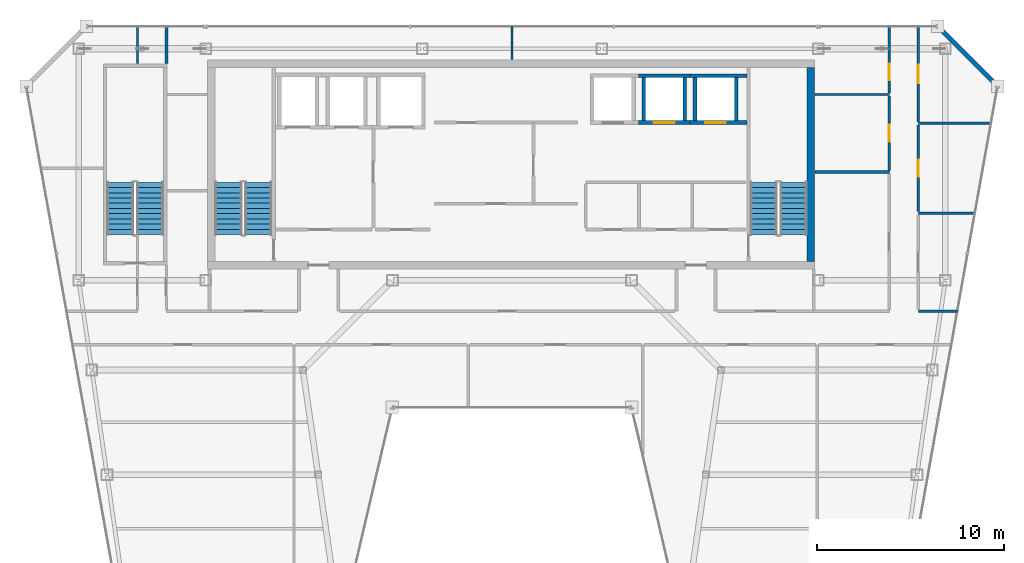
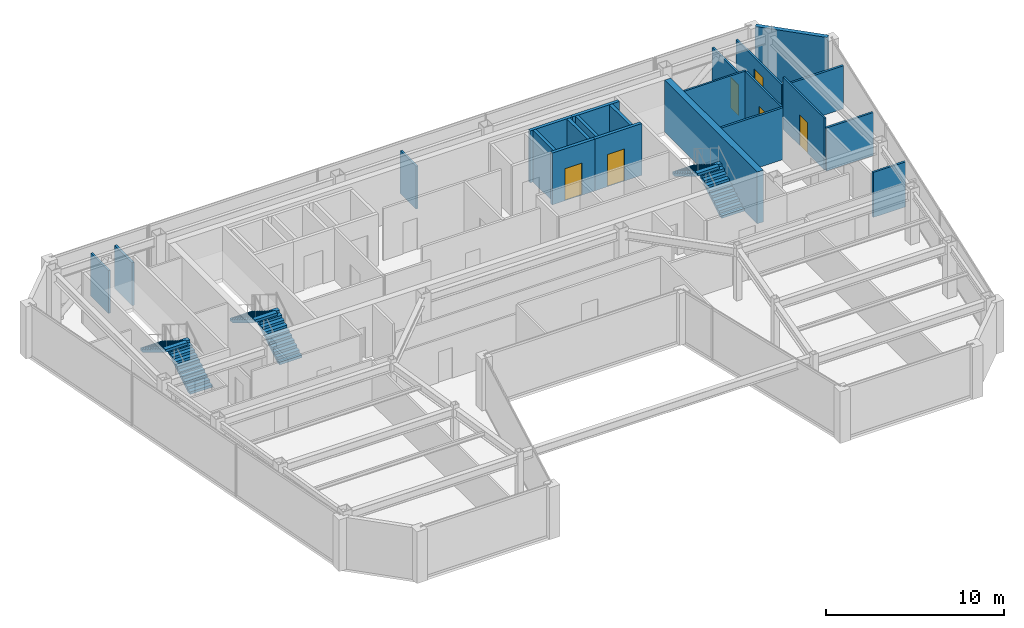
# One storey, part 29 of 32: 22 walls, 6 doors, 6 stair flights, 6 openings, 3 elements without a shape of their own.
"""IFC4 building model written with IfcOpenShell, lengths in metres."""

from ifc_helpers import new_model, si_unit, direction, frame, frame_2d, origin, place, context, subcontext, project, spatial, polyline, rectangle, outline, extrude, material, layer, layer_set, type_object, element, fill, aggregate, save


model = new_model("IFC4")

# Units and contexts
model_context = context("Model", 3, precision=1e-05, world=origin(), true_north=direction((0.0, 1.0)))
body_context = subcontext(model_context, "Body", "Model", "MODEL_VIEW")
ifc_project = project(units=[si_unit("LENGTHUNIT", "METRE"), si_unit("AREAUNIT", "SQUARE_METRE"), si_unit("VOLUMEUNIT", "CUBIC_METRE"), si_unit("PLANEANGLEUNIT", "RADIAN"), si_unit("MASSUNIT", "GRAM", prefix="KILO")], contexts=[model_context])

# Site, building, storey
site_placement = place(None, origin())
site = spatial("IfcSite", under=ifc_project, at=site_placement, CompositionType="ELEMENT")
building_placement = place(site_placement, origin())
building = spatial("IfcBuilding", under=site, at=building_placement, Name="Saevonmaru Cultural Tower", CompositionType="ELEMENT")
storey_placement = place(building_placement, frame((0.0, 0.0, 268.60009765625)))
storey = spatial("IfcBuildingStorey", under=building, at=storey_placement, Name="L63", CompositionType="ELEMENT", Elevation=268.60009765625)

# Walls
ifc_material_1 = material(Name="Concrete C50/60", Category="concrete")
ifc_layer_1 = layer(ifc_material_1, 0.39990234375, Name="Concrete C50/60")
ifc_layer_set_1 = layer_set([ifc_layer_1], Name="Concrete C50/60")
wall_type_1 = type_object("IfcWallType", Name="WL-CORE-400", PredefinedType="SHEAR", material=ifc_layer_set_1)
wall_1_placement = place(storey_placement, frame((46.0, 43.39990234375, 0.0), z_axis=(0.0, 0.0, 1.0), x_axis=(0.0, 1.0, 0.0)))
element("IfcWall", 1, at=wall_1_placement, inside=storey, type_object=wall_type_1, Name="L63 Tower RC core shear wall E", PredefinedType="SHEAR", context=body_context, shape_type="SweptSolid", body=[
    extrude(rectangle(XDim=10.400146484375, YDim=0.39990234375, at=frame_2d((5.2001953125, 0.0))), origin(), (0.0, 0.0, 1.0), 3.5498046875),
])
ifc_material_2 = material(Name="Granite-Clad Precast Concrete C40/50", Category="masonry")
ifc_layer_2 = layer(ifc_material_2, 0.260009765625, Name="Granite-Clad Precast Concrete C40/50")
ifc_layer_set_2 = layer_set([ifc_layer_2], Name="Granite-Clad Precast Concrete C40/50")
wall_type_2 = type_object("IfcWallType", Name="WL-EXT-SPANDREL-260", PredefinedType="STANDARD", material=ifc_layer_set_2)
wall_2_placement = place(storey_placement, frame((55.886962890625, 52.9130859375, 0.0), z_axis=(0.0, 0.0, 1.0), x_axis=(-0.707106781187, 0.707106781187, 0.0)))
element("IfcWall", 2, at=wall_2_placement, inside=storey, type_object=wall_type_2, Name="L63 Chamfer Corner Spandrel Wall E9", PredefinedType="STANDARD", context=body_context, shape_type="SweptSolid", body=[
    extrude(rectangle(XDim=4.205810546875, YDim=0.260009765625, at=frame_2d((2.10302734375, 0.0))), origin(), (0.0, 0.0, 1.0), 3.5498046875),
])
ifc_material_3 = material(Name="Gypsum Fireboard Partition", Category="gypsum")
ifc_layer_3 = layer(ifc_material_3, 0.14990234375, Name="Gypsum Fireboard Partition")
ifc_layer_set_3 = layer_set([ifc_layer_3], Name="Gypsum Fireboard Partition")
wall_type_3 = type_object("IfcWallType", Name="WL-PART-FIRE-150", PredefinedType="PARTITIONING", material=ifc_layer_set_3)
wall_3_placement = place(storey_placement, frame((11.5, 54.0, 0.0), z_axis=(0.0, 0.0, 1.0), x_axis=(0.0, 1.0, 0.0)))
element("IfcWall", 3, at=wall_3_placement, inside=storey, type_object=wall_type_3, Name="L63 Sculpture Study Gallery Corridor Wall", PredefinedType="PARTITIONING", context=body_context, shape_type="SweptSolid", body=[
    extrude(rectangle(XDim=1.9951171875, YDim=0.14990234375, at=frame_2d((0.99755859375, 0.0))), origin(), (0.0, 0.0, 1.0), 2.934814453125),
])
ifc_layer_4 = layer(ifc_material_3, 0.1201171875, Name="Gypsum Fireboard Partition")
ifc_layer_set_4 = layer_set([ifc_layer_4], Name="Gypsum Fireboard Partition")
wall_type_4 = type_object("IfcWallType", Name="WL-PART-GYP-120", PredefinedType="PARTITIONING", material=ifc_layer_set_4)
wall_4_placement = place(storey_placement, frame((46.219970703125, 52.35009765625, 0.0), z_axis=(0.0, 0.0, 1.0), x_axis=(1.0, 0.0, 0.0)))
element("IfcWall", 4, at=wall_4_placement, inside=storey, type_object=wall_type_4, Name="L63 North-East Panorama South Wall", PredefinedType="PARTITIONING", context=body_context, shape_type="SweptSolid", body=[
    extrude(rectangle(XDim=3.97998046875, YDim=0.1201171875, at=frame_2d((1.989990234375, 0.0))), origin(), (0.0, 0.0, 1.0), 3.5498046875),
])
wall_5_placement = place(storey_placement, frame((30.0, 54.219970703125, 0.0), z_axis=(0.0, 0.0, 1.0), x_axis=(0.0, 1.0, 0.0)))
element("IfcWall", 5, at=wall_5_placement, inside=storey, type_object=wall_type_4, Name="L63 North Panorama Center Split", PredefinedType="PARTITIONING", context=body_context, shape_type="SweptSolid", body=[
    extrude(rectangle(XDim=1.775146484375, YDim=0.1201171875, at=frame_2d((0.8876953125, 0.0))), origin(), (0.0, 0.0, 1.0), 2.934814453125),
])

# Wall, opening, door
wall_6_placement = place(storey_placement, frame((50.199951171875, 48.2900390625, 0.0), z_axis=(0.0, 0.0, 1.0), x_axis=(0.0, 1.0, 0.0)))
wall_6 = element("IfcWall", 6, at=wall_6_placement, inside=storey, type_object=wall_type_4, Name="L63 Visiting Fellows Office Corridor Wall", PredefinedType="PARTITIONING", context=body_context, shape_type="SweptSolid", body=[
    extrude(rectangle(XDim=3.97998046875, YDim=0.1201171875, at=frame_2d((1.989990234375, 0.0))), origin(), (0.0, 0.0, 1.0), 3.5498046875),
])
opening_1_placement = place(wall_6_placement, frame((1.5400390625, 0.0, 0.0)))
opening_1 = element("IfcOpeningElement", 7, at=opening_1_placement, cuts=wall_6, Name="Opening ID-2", PredefinedType="OPENING", context=body_context, shape_type="SweptSolid", body=[
    extrude(rectangle(XDim=0.89990234375, YDim=2.10009765625, at=frame_2d((0.449951171875, 1.050048828125))), frame((0.0, 0.070068359375, 0.0), z_axis=(0.0, -1.0, 0.0), x_axis=(1.0, 0.0, 0.0)), (0.0, 0.0, 1.0), 0.14013671875),
])
ifc_material_4 = material(Name="Acoustic Stained Oak Timber", Category="wood")
door_type_1 = type_object("IfcDoorType", Name="DR-INT-900", OperationType="SINGLE_SWING_RIGHT", PredefinedType="DOOR", material=ifc_material_4)
door_1_placement = place(opening_1_placement, origin())
door_1 = element("IfcDoor", 8, at=door_1_placement, inside=storey, type_object=door_type_1, Name="L63 Visiting Fellows Office Door", OperationType="SINGLE_SWING_LEFT", OverallHeight=2.10009765625, OverallWidth=0.89990234375, PredefinedType="DOOR", context=body_context, shape_type="SweptSolid", body=[
    extrude(rectangle(XDim=0.89990234375, YDim=2.10009765625, at=frame_2d((0.449951171875, 1.050048828125))), frame((0.0, 0.02490234375, 0.0), z_axis=(0.0, -1.0, 0.0), x_axis=(1.0, 0.0, 0.0)), (0.0, 0.0, 1.0), 0.050048828125),
])
fill(opening_1, door_1)

wall_7_placement = place(storey_placement, frame((50.199951171875, 52.429931640625, 0.0), z_axis=(0.0, 0.0, 1.0), x_axis=(0.0, 1.0, 0.0)))
wall_7 = element("IfcWall", 9, at=wall_7_placement, inside=storey, type_object=wall_type_4, Name="L63 Digital Humanities Office Corridor Wall", PredefinedType="PARTITIONING", context=body_context, shape_type="SweptSolid", body=[
    extrude(rectangle(XDim=3.565185546875, YDim=0.1201171875, at=frame_2d((1.78271484375, 0.0))), origin(), (0.0, 0.0, 1.0), 2.934814453125),
])
opening_2_placement = place(wall_7_placement, frame((0.672119140625, 0.0, 0.0)))
opening_2 = element("IfcOpeningElement", 10, at=opening_2_placement, cuts=wall_7, Name="Opening ID-2", PredefinedType="OPENING", context=body_context, shape_type="SweptSolid", body=[
    extrude(rectangle(XDim=0.89990234375, YDim=2.10009765625, at=frame_2d((0.449951171875, 1.050048828125))), frame((0.0, 0.070068359375, 0.0), z_axis=(0.0, -1.0, 0.0), x_axis=(1.0, 0.0, 0.0)), (0.0, 0.0, 1.0), 0.14013671875),
])
door_2_placement = place(opening_2_placement, origin())
door_2 = element("IfcDoor", 11, at=door_2_placement, inside=storey, type_object=door_type_1, Name="L63 Digital Humanities Office Door", OperationType="SINGLE_SWING_RIGHT", OverallHeight=2.10009765625, OverallWidth=0.89990234375, PredefinedType="DOOR", context=body_context, shape_type="SweptSolid", body=[
    extrude(rectangle(XDim=0.89990234375, YDim=2.10009765625, at=frame_2d((0.449951171875, 1.050048828125))), frame((0.0, 0.02490234375, 0.0), z_axis=(0.0, -1.0, 0.0), x_axis=(1.0, 0.0, 0.0)), (0.0, 0.0, 1.0), 0.050048828125),
])
fill(opening_2, door_2)

# Wall
wall_8_placement = place(storey_placement, frame((9.949951171875, 54.0, 0.0), z_axis=(0.0, 0.0, 1.0), x_axis=(0.0, 1.0, 0.0)))
element("IfcWall", 12, at=wall_8_placement, inside=storey, type_object=wall_type_4, Name="L63 Digital Humanities Office Corridor Wall", PredefinedType="PARTITIONING", context=body_context, shape_type="SweptSolid", body=[
    extrude(rectangle(XDim=1.9951171875, YDim=0.1201171875, at=frame_2d((0.99755859375, 0.0))), origin(), (0.0, 0.0, 1.0), 2.934814453125),
])

# Wall, opening, door
wall_9_placement = place(storey_placement, frame((51.75, 46.08740234375, 0.0), z_axis=(0.0, 0.0, 1.0), x_axis=(0.0, 1.0, 0.0)))
wall_9 = element("IfcWall", 13, at=wall_9_placement, inside=storey, type_object=wall_type_4, Name="L63 Digital Media Classroom Corridor Wall", PredefinedType="PARTITIONING", context=body_context, shape_type="SweptSolid", body=[
    extrude(rectangle(XDim=4.625, YDim=0.1201171875, at=frame_2d((2.3125, 0.0))), origin(), (0.0, 0.0, 1.0), 3.5498046875),
])
opening_3_placement = place(wall_9_placement, frame((1.863037109375, 0.0, 0.0)))
opening_3 = element("IfcOpeningElement", 14, at=opening_3_placement, cuts=wall_9, Name="Opening ID-2", PredefinedType="OPENING", context=body_context, shape_type="SweptSolid", body=[
    extrude(rectangle(XDim=0.89990234375, YDim=2.10009765625, at=frame_2d((0.449951171875, 1.050048828125))), frame((0.0, 0.070068359375, 0.0), z_axis=(0.0, -1.0, 0.0), x_axis=(1.0, 0.0, 0.0)), (0.0, 0.0, 1.0), 0.14013671875),
])
door_3_placement = place(opening_3_placement, origin())
door_3 = element("IfcDoor", 15, at=door_3_placement, inside=storey, type_object=door_type_1, Name="L63 Digital Media Classroom Door", OperationType="SINGLE_SWING_RIGHT", OverallHeight=2.10009765625, OverallWidth=0.89990234375, PredefinedType="DOOR", context=body_context, shape_type="SweptSolid", body=[
    extrude(rectangle(XDim=0.89990234375, YDim=2.10009765625, at=frame_2d((0.449951171875, 1.050048828125))), frame((0.0, 0.02490234375, 0.0), z_axis=(0.0, -1.0, 0.0), x_axis=(1.0, 0.0, 0.0)), (0.0, 0.0, 1.0), 0.050048828125),
])
fill(opening_3, door_3)

wall_10_placement = place(storey_placement, frame((51.75, 50.887451171875, 0.0), z_axis=(0.0, 0.0, 1.0), x_axis=(0.0, 1.0, 0.0)))
wall_10 = element("IfcWall", 16, at=wall_10_placement, inside=storey, type_object=wall_type_4, Name="L63 Horizon Espresso Cafe Corridor Wall", PredefinedType="PARTITIONING", context=body_context, shape_type="SweptSolid", body=[
    extrude(rectangle(XDim=5.107666015625, YDim=0.1201171875, at=frame_2d((2.5537109375, 0.0))), origin(), (0.0, 0.0, 1.0), 2.934814453125),
])
opening_4_placement = place(wall_10_placement, frame((2.053955078125, 0.0, 0.0)))
opening_4 = element("IfcOpeningElement", 17, at=opening_4_placement, cuts=wall_10, Name="Opening ID-1B", PredefinedType="OPENING", context=body_context, shape_type="SweptSolid", body=[
    extrude(rectangle(XDim=1.0, YDim=2.14990234375, at=frame_2d((0.5, 1.074951171875))), frame((0.0, 0.070068359375, 0.0), z_axis=(0.0, -1.0, 0.0), x_axis=(1.0, 0.0, 0.0)), (0.0, 0.0, 1.0), 0.14013671875),
])
door_type_2 = type_object("IfcDoorType", Name="DR-INT-1000", OperationType="SINGLE_SWING_RIGHT", PredefinedType="DOOR", material=ifc_material_4)
door_4_placement = place(opening_4_placement, origin())
door_4 = element("IfcDoor", 18, at=door_4_placement, inside=storey, type_object=door_type_2, Name="L63 Horizon Espresso Cafe Door", OperationType="SINGLE_SWING_LEFT", OverallHeight=2.14990234375, OverallWidth=1.0, PredefinedType="DOOR", context=body_context, shape_type="SweptSolid", body=[
    extrude(rectangle(XDim=1.0, YDim=2.14990234375, at=frame_2d((0.5, 1.074951171875))), frame((0.0, 0.02490234375, 0.0), z_axis=(0.0, -1.0, 0.0), x_axis=(1.0, 0.0, 0.0)), (0.0, 0.0, 1.0), 0.050048828125),
])
fill(opening_4, door_4)

# Walls
ifc_layer_5 = layer(ifc_material_3, 0.135009765625, Name="Gypsum Fireboard Partition")
ifc_layer_set_5 = layer_set([ifc_layer_5], Name="Gypsum Fireboard Partition")
wall_type_5 = type_object("IfcWallType", Name="WL-PART-GYP-135", PredefinedType="PARTITIONING", material=ifc_layer_set_5)
wall_11_placement = place(storey_placement, frame((51.75, 40.75, 0.0), z_axis=(0.0, 0.0, 1.0), x_axis=(1.0, 0.0, 0.0)))
element("IfcWall", 19, at=wall_11_placement, inside=storey, type_object=wall_type_5, Name="L63 NE Wing South Wall", PredefinedType="PARTITIONING", context=body_context, shape_type="SweptSolid", body=[
    extrude(rectangle(XDim=2.088623046875, YDim=0.135009765625, at=frame_2d((1.04443359375, 0.0))), origin(), (0.0, 0.0, 1.0), 3.0849609375),
])
wall_12_placement = place(storey_placement, frame((51.75, 46.0, 0.0), z_axis=(0.0, 0.0, 1.0), x_axis=(1.0, 0.0, 0.0)))
element("IfcWall", 20, at=wall_12_placement, inside=storey, type_object=wall_type_5, Name="L63 NE Studio Divider 1", PredefinedType="PARTITIONING", context=body_context, shape_type="SweptSolid", body=[
    extrude(rectangle(XDim=3.028076171875, YDim=0.135009765625, at=frame_2d((1.51416015625, 0.0))), origin(), (0.0, 0.0, 1.0), 2.947021484375),
])
wall_13_placement = place(storey_placement, frame((51.75, 50.800048828125, 0.0), z_axis=(0.0, 0.0, 1.0), x_axis=(1.0, 0.0, 0.0)))
element("IfcWall", 21, at=wall_13_placement, inside=storey, type_object=wall_type_5, Name="L63 NE Studio Divider 2", PredefinedType="PARTITIONING", context=body_context, shape_type="SweptSolid", body=[
    extrude(rectangle(XDim=3.886962890625, YDim=0.135009765625, at=frame_2d((1.943359375, 0.0))), origin(), (0.0, 0.0, 1.0), 2.947021484375),
])
ifc_layer_6 = layer(ifc_material_3, 0.139892578125, Name="Gypsum Fireboard Partition")
ifc_layer_set_6 = layer_set([ifc_layer_6], Name="Gypsum Fireboard Partition")
wall_type_6 = type_object("IfcWallType", Name="WL-PART-WET-140", PredefinedType="PARTITIONING", material=ifc_layer_set_6)
wall_14_placement = place(storey_placement, frame((46.219970703125, 48.199951171875, 0.0), z_axis=(0.0, 0.0, 1.0), x_axis=(1.0, 0.0, 0.0)))
element("IfcWall", 22, at=wall_14_placement, inside=storey, type_object=wall_type_6, Name="L63 Washroom North Wall", PredefinedType="PARTITIONING", context=body_context, shape_type="SweptSolid", body=[
    extrude(rectangle(XDim=3.97998046875, YDim=0.139892578125, at=frame_2d((1.989990234375, 0.0))), origin(), (0.0, 0.0, 1.0), 3.5498046875),
])

# Wall, opening, door
ifc_material_5 = material(Name="Concrete C40/50", Category="concrete")
ifc_layer_7 = layer(ifc_material_5, 0.199951171875, Name="Concrete C40/50")
ifc_layer_set_7 = layer_set([ifc_layer_7], Name="Concrete C40/50")
wall_type_7 = type_object("IfcWallType", Name="WL-SHAFT-200", PredefinedType="SHEAR", material=ifc_layer_set_7)
wall_15_placement = place(storey_placement, frame((36.77490234375, 50.85009765625, 0.0), z_axis=(0.0, 0.0, 1.0), x_axis=(1.0, 0.0, 0.0)))
wall_15 = element("IfcWall", 23, at=wall_15_placement, inside=storey, type_object=wall_type_7, Name="L63 Lift PL-H2 Hoistway Wall S", PredefinedType="SHEAR", context=body_context, shape_type="SweptSolid", body=[
    extrude(rectangle(XDim=2.75, YDim=0.199951171875, at=frame_2d((1.375, 0.0))), origin(), (0.0, 0.0, 1.0), 3.5498046875),
])
opening_5_placement = place(wall_15_placement, frame((0.824951171875, 0.0, 0.0)))
opening_5 = element("IfcOpeningElement", 24, at=opening_5_placement, cuts=wall_15, Name="Opening LD-1", PredefinedType="OPENING", context=body_context, shape_type="SweptSolid", body=[
    extrude(rectangle(XDim=1.10009765625, YDim=2.199951171875, at=frame_2d((0.550048828125, 1.10009765625))), frame((0.0, 0.10986328125, 0.0), z_axis=(0.0, -1.0, 0.0), x_axis=(1.0, 0.0, 0.0)), (0.0, 0.0, 1.0), 0.219970703125),
])
ifc_material_6 = material(Name="Satin Bronze Stainless Steel", Category="steel")
door_type_3 = type_object("IfcDoorType", Name="DR-LIFT-1100", OperationType="SLIDING_TO_LEFT", PredefinedType="DOOR", material=ifc_material_6)
door_5_placement = place(opening_5_placement, origin())
door_5 = element("IfcDoor", 25, at=door_5_placement, inside=storey, type_object=door_type_3, Name="L63 Lift PL-H2 Sliding Landing Door", OperationType="SLIDING_TO_LEFT", OverallHeight=2.199951171875, OverallWidth=1.10009765625, PredefinedType="DOOR", context=body_context, shape_type="SweptSolid", body=[
    extrude(rectangle(XDim=1.10009765625, YDim=2.199951171875, at=frame_2d((0.550048828125, 1.10009765625))), frame((0.0, 0.02490234375, 0.0), z_axis=(0.0, -1.0, 0.0), x_axis=(1.0, 0.0, 0.0)), (0.0, 0.0, 1.0), 0.050048828125),
])
fill(opening_5, door_5)

# Walls
wall_16_placement = place(storey_placement, frame((36.77490234375, 53.35009765625, 0.0), z_axis=(0.0, 0.0, 1.0), x_axis=(1.0, 0.0, 0.0)))
element("IfcWall", 26, at=wall_16_placement, inside=storey, type_object=wall_type_7, Name="L63 Lift PL-H2 Hoistway Wall N", PredefinedType="SHEAR", context=body_context, shape_type="SweptSolid", body=[
    extrude(rectangle(XDim=2.75, YDim=0.199951171875, at=frame_2d((1.375, 0.0))), origin(), (0.0, 0.0, 1.0), 3.5498046875),
])
for number, where, z_axis, x_axis, name in (
    (27, (37.050048828125, 50.949951171875, 0.0), (0.0, 0.0, 1.0), (0.0, 1.0, 0.0), "L63 Lift PL-H2 Hoistway Wall W"),
    (28, (39.25, 50.949951171875, 0.0), (0.0, 0.0, 1.0), (0.0, 1.0, 0.0), "L63 Lift PL-H2 Hoistway Wall E"),
):
    element("IfcWall", number, at=place(storey_placement, frame(where, z_axis=z_axis, x_axis=x_axis)), inside=storey, type_object=wall_type_7, Name=name, PredefinedType="SHEAR", context=body_context, shape_type="SweptSolid", body=[
        extrude(rectangle(XDim=2.300048828125, YDim=0.199951171875, at=frame_2d((1.14990234375, 0.0))), origin(), (0.0, 0.0, 1.0), 3.5498046875),
    ])

# Wall, opening, door
wall_17_placement = place(storey_placement, frame((39.52490234375, 50.85009765625, 0.0), z_axis=(0.0, 0.0, 1.0), x_axis=(1.0, 0.0, 0.0)))
wall_17 = element("IfcWall", 29, at=wall_17_placement, inside=storey, type_object=wall_type_7, Name="L63 Lift PL-H3 Hoistway Wall S", PredefinedType="SHEAR", context=body_context, shape_type="SweptSolid", body=[
    extrude(rectangle(XDim=3.045166015625, YDim=0.199951171875, at=frame_2d((1.5224609375, 0.0))), origin(), (0.0, 0.0, 1.0), 3.5498046875),
])
opening_6_placement = place(wall_17_placement, frame((0.824951171875, 0.0, 0.0)))
opening_6 = element("IfcOpeningElement", 30, at=opening_6_placement, cuts=wall_17, Name="Opening LD-1", PredefinedType="OPENING", context=body_context, shape_type="SweptSolid", body=[
    extrude(rectangle(XDim=1.10009765625, YDim=2.199951171875, at=frame_2d((0.550048828125, 1.10009765625))), frame((0.0, 0.10986328125, 0.0), z_axis=(0.0, -1.0, 0.0), x_axis=(1.0, 0.0, 0.0)), (0.0, 0.0, 1.0), 0.219970703125),
])
door_6_placement = place(opening_6_placement, origin())
door_6 = element("IfcDoor", 31, at=door_6_placement, inside=storey, type_object=door_type_3, Name="L63 Lift PL-H3 Sliding Landing Door", OperationType="SLIDING_TO_LEFT", OverallHeight=2.199951171875, OverallWidth=1.10009765625, PredefinedType="DOOR", context=body_context, shape_type="SweptSolid", body=[
    extrude(rectangle(XDim=1.10009765625, YDim=2.199951171875, at=frame_2d((0.550048828125, 1.10009765625))), frame((0.0, 0.02490234375, 0.0), z_axis=(0.0, -1.0, 0.0), x_axis=(1.0, 0.0, 0.0)), (0.0, 0.0, 1.0), 0.050048828125),
])
fill(opening_6, door_6)

# Walls
wall_18_placement = place(storey_placement, frame((39.52490234375, 53.35009765625, 0.0), z_axis=(0.0, 0.0, 1.0), x_axis=(1.0, 0.0, 0.0)))
element("IfcWall", 32, at=wall_18_placement, inside=storey, type_object=wall_type_7, Name="L63 Lift PL-H3 Hoistway Wall N", PredefinedType="SHEAR", context=body_context, shape_type="SweptSolid", body=[
    extrude(rectangle(XDim=3.045166015625, YDim=0.199951171875, at=frame_2d((1.5224609375, 0.0))), origin(), (0.0, 0.0, 1.0), 3.5498046875),
])
for number, where, z_axis, x_axis, name in (
    (33, (39.800048828125, 50.949951171875, 0.0), (0.0, 0.0, 1.0), (0.0, 1.0, 0.0), "L63 Lift PL-H3 Hoistway Wall W"),
    (34, (42.0, 50.949951171875, 0.0), (0.0, 0.0, 1.0), (0.0, 1.0, 0.0), "L63 Lift PL-H3 Hoistway Wall E"),
):
    element("IfcWall", number, at=place(storey_placement, frame(where, z_axis=z_axis, x_axis=x_axis)), inside=storey, type_object=wall_type_7, Name=name, PredefinedType="SHEAR", context=body_context, shape_type="SweptSolid", body=[
        extrude(rectangle(XDim=2.300048828125, YDim=0.199951171875, at=frame_2d((1.14990234375, 0.0))), origin(), (0.0, 0.0, 1.0), 3.5498046875),
    ])

# Stair, stair flights
stair_type = type_object("IfcStairType", Name="STR-DOGLEG-RC", PredefinedType="HALF_TURN_STAIR", material=ifc_material_5)
stair_1_placement = place(storey_placement, origin())
stair_1 = element("IfcStair", 35, at=stair_1_placement, inside=storey, type_object=stair_type, Name="L63 Protected exit stair ST-1", PredefinedType="HALF_TURN_STAIR")
ifc_material_7 = material(Name="Precast concrete C40/50", Category="concrete")
stair_flight_type = type_object("IfcStairFlightType", Name="STF-PRECAST-180", PredefinedType="STRAIGHT", material=ifc_material_7)
stair_flight_1_placement = place(storey_placement, frame((16.425048828125, 44.85009765625, 0.0), z_axis=(0.0, 0.0, 1.0), x_axis=(0.0, 1.0, 0.0)))
stair_flight_1 = element("IfcStairFlight", 36, at=stair_flight_1_placement, type_object=stair_flight_type, Name="ST-1-L63 flight 1", NumberOfRisers=11, NumberOfTreads=10, PredefinedType="STRAIGHT", RiserHeight=0.172727273, TreadLength=0.28, context=body_context, shape_type="SweptSolid", body=[
    extrude(outline(polyline([(0.0, 0.0), (0.0, 0.172607421875), (0.280029296875, 0.172607421875), (0.280029296875, 0.345458984375), (0.56005859375, 0.345458984375), (0.56005859375, 0.51806640625), (0.840087890625, 0.51806640625), (0.840087890625, 0.69091796875), (1.1201171875, 0.69091796875), (1.1201171875, 0.863525390625), (1.39990234375, 0.863525390625), (1.39990234375, 1.036376953125), (1.679931640625, 1.036376953125), (1.679931640625, 1.208984375), (1.9599609375, 1.208984375), (1.9599609375, 1.3818359375), (2.239990234375, 1.3818359375), (2.239990234375, 1.554443359375), (2.52001953125, 1.554443359375), (2.52001953125, 1.727294921875), (2.800048828125, 1.727294921875), (2.800048828125, 1.89990234375), (2.800048828125, 1.551025390625), (0.285400390625, 0.0), (0.0, 0.0)])), frame((0.0, 0.72509765625, 0.0), z_axis=(0.0, -1.0, 0.0), x_axis=(1.0, 0.0, 0.0)), (0.0, 0.0, 1.0), 1.449951171875),
])
stair_flight_2_placement = place(storey_placement, frame((14.824951171875, 47.64990234375, 1.89990234375), z_axis=(0.0, 0.0, 1.0), x_axis=(0.0, -1.0, 0.0)))
stair_flight_2 = element("IfcStairFlight", 37, at=stair_flight_2_placement, type_object=stair_flight_type, Name="ST-1-L63 flight 2", NumberOfRisers=11, NumberOfTreads=10, PredefinedType="STRAIGHT", RiserHeight=0.172727273, TreadLength=0.28, context=body_context, shape_type="SweptSolid", body=[
    extrude(outline(polyline([(0.0, 0.0), (0.0, 0.172607421875), (0.280029296875, 0.172607421875), (0.280029296875, 0.345458984375), (0.56005859375, 0.345458984375), (0.56005859375, 0.51806640625), (0.840087890625, 0.51806640625), (0.840087890625, 0.69091796875), (1.1201171875, 0.69091796875), (1.1201171875, 0.863525390625), (1.39990234375, 0.863525390625), (1.39990234375, 1.036376953125), (1.679931640625, 1.036376953125), (1.679931640625, 1.208984375), (1.9599609375, 1.208984375), (1.9599609375, 1.3818359375), (2.239990234375, 1.3818359375), (2.239990234375, 1.554443359375), (2.52001953125, 1.554443359375), (2.52001953125, 1.727294921875), (2.800048828125, 1.727294921875), (2.800048828125, 1.89990234375), (2.800048828125, 1.551025390625), (0.285400390625, 0.0), (0.0, 0.0)])), frame((0.0, 0.72509765625, 0.0), z_axis=(0.0, -1.0, 0.0), x_axis=(1.0, 0.0, 0.0)), (0.0, 0.0, 1.0), 1.449951171875),
])
aggregate(stair_1, [stair_flight_1, stair_flight_2])

stair_2_placement = place(storey_placement, origin())
stair_2 = element("IfcStair", 38, at=stair_2_placement, inside=storey, type_object=stair_type, Name="L63 Protected exit stair ST-2", PredefinedType="HALF_TURN_STAIR")
stair_flight_3_placement = place(storey_placement, frame((45.074951171875, 44.85009765625, 0.0), z_axis=(0.0, 0.0, 1.0), x_axis=(0.0, 1.0, 0.0)))
stair_flight_3 = element("IfcStairFlight", 39, at=stair_flight_3_placement, type_object=stair_flight_type, Name="ST-2-L63 flight 1", NumberOfRisers=11, NumberOfTreads=10, PredefinedType="STRAIGHT", RiserHeight=0.172727273, TreadLength=0.28, context=body_context, shape_type="SweptSolid", body=[
    extrude(outline(polyline([(0.0, 0.0), (0.0, 0.172607421875), (0.280029296875, 0.172607421875), (0.280029296875, 0.345458984375), (0.56005859375, 0.345458984375), (0.56005859375, 0.51806640625), (0.840087890625, 0.51806640625), (0.840087890625, 0.69091796875), (1.1201171875, 0.69091796875), (1.1201171875, 0.863525390625), (1.39990234375, 0.863525390625), (1.39990234375, 1.036376953125), (1.679931640625, 1.036376953125), (1.679931640625, 1.208984375), (1.9599609375, 1.208984375), (1.9599609375, 1.3818359375), (2.239990234375, 1.3818359375), (2.239990234375, 1.554443359375), (2.52001953125, 1.554443359375), (2.52001953125, 1.727294921875), (2.800048828125, 1.727294921875), (2.800048828125, 1.89990234375), (2.800048828125, 1.551025390625), (0.285400390625, 0.0), (0.0, 0.0)])), frame((0.0, 0.72509765625, 0.0), z_axis=(0.0, -1.0, 0.0), x_axis=(1.0, 0.0, 0.0)), (0.0, 0.0, 1.0), 1.449951171875),
])
stair_flight_4_placement = place(storey_placement, frame((43.47509765625, 47.64990234375, 1.89990234375), z_axis=(0.0, 0.0, 1.0), x_axis=(0.0, -1.0, 0.0)))
stair_flight_4 = element("IfcStairFlight", 40, at=stair_flight_4_placement, type_object=stair_flight_type, Name="ST-2-L63 flight 2", NumberOfRisers=11, NumberOfTreads=10, PredefinedType="STRAIGHT", RiserHeight=0.172727273, TreadLength=0.28, context=body_context, shape_type="SweptSolid", body=[
    extrude(outline(polyline([(0.0, 0.0), (0.0, 0.172607421875), (0.280029296875, 0.172607421875), (0.280029296875, 0.345458984375), (0.56005859375, 0.345458984375), (0.56005859375, 0.51806640625), (0.840087890625, 0.51806640625), (0.840087890625, 0.69091796875), (1.1201171875, 0.69091796875), (1.1201171875, 0.863525390625), (1.39990234375, 0.863525390625), (1.39990234375, 1.036376953125), (1.679931640625, 1.036376953125), (1.679931640625, 1.208984375), (1.9599609375, 1.208984375), (1.9599609375, 1.3818359375), (2.239990234375, 1.3818359375), (2.239990234375, 1.554443359375), (2.52001953125, 1.554443359375), (2.52001953125, 1.727294921875), (2.800048828125, 1.727294921875), (2.800048828125, 1.89990234375), (2.800048828125, 1.551025390625), (0.285400390625, 0.0), (0.0, 0.0)])), frame((0.0, 0.72509765625, 0.0), z_axis=(0.0, -1.0, 0.0), x_axis=(1.0, 0.0, 0.0)), (0.0, 0.0, 1.0), 1.449951171875),
])
aggregate(stair_2, [stair_flight_3, stair_flight_4])

stair_3_placement = place(storey_placement, origin())
stair_3 = element("IfcStair", 41, at=stair_3_placement, inside=storey, type_object=stair_type, Name="L63 Protected exit stair ST-3", PredefinedType="HALF_TURN_STAIR")
stair_flight_5_placement = place(storey_placement, frame((10.625, 44.85009765625, 0.0), z_axis=(0.0, 0.0, 1.0), x_axis=(0.0, 1.0, 0.0)))
stair_flight_5 = element("IfcStairFlight", 42, at=stair_flight_5_placement, type_object=stair_flight_type, Name="ST-3-L63 flight 1", NumberOfRisers=11, NumberOfTreads=10, PredefinedType="STRAIGHT", RiserHeight=0.172727273, TreadLength=0.28, context=body_context, shape_type="SweptSolid", body=[
    extrude(outline(polyline([(0.0, 0.0), (0.0, 0.172607421875), (0.280029296875, 0.172607421875), (0.280029296875, 0.345458984375), (0.56005859375, 0.345458984375), (0.56005859375, 0.51806640625), (0.840087890625, 0.51806640625), (0.840087890625, 0.69091796875), (1.1201171875, 0.69091796875), (1.1201171875, 0.863525390625), (1.39990234375, 0.863525390625), (1.39990234375, 1.036376953125), (1.679931640625, 1.036376953125), (1.679931640625, 1.208984375), (1.9599609375, 1.208984375), (1.9599609375, 1.3818359375), (2.239990234375, 1.3818359375), (2.239990234375, 1.554443359375), (2.52001953125, 1.554443359375), (2.52001953125, 1.727294921875), (2.800048828125, 1.727294921875), (2.800048828125, 1.89990234375), (2.800048828125, 1.551025390625), (0.285400390625, 0.0), (0.0, 0.0)])), frame((0.0, 0.72509765625, 0.0), z_axis=(0.0, -1.0, 0.0), x_axis=(1.0, 0.0, 0.0)), (0.0, 0.0, 1.0), 1.449951171875),
])
stair_flight_6_placement = place(storey_placement, frame((9.02490234375, 47.64990234375, 1.89990234375), z_axis=(0.0, 0.0, 1.0), x_axis=(0.0, -1.0, 0.0)))
stair_flight_6 = element("IfcStairFlight", 43, at=stair_flight_6_placement, type_object=stair_flight_type, Name="ST-3-L63 flight 2", NumberOfRisers=11, NumberOfTreads=10, PredefinedType="STRAIGHT", RiserHeight=0.172727273, TreadLength=0.28, context=body_context, shape_type="SweptSolid", body=[
    extrude(outline(polyline([(0.0, 0.0), (0.0, 0.172607421875), (0.280029296875, 0.172607421875), (0.280029296875, 0.345458984375), (0.56005859375, 0.345458984375), (0.56005859375, 0.51806640625), (0.840087890625, 0.51806640625), (0.840087890625, 0.69091796875), (1.1201171875, 0.69091796875), (1.1201171875, 0.863525390625), (1.39990234375, 0.863525390625), (1.39990234375, 1.036376953125), (1.679931640625, 1.036376953125), (1.679931640625, 1.208984375), (1.9599609375, 1.208984375), (1.9599609375, 1.3818359375), (2.239990234375, 1.3818359375), (2.239990234375, 1.554443359375), (2.52001953125, 1.554443359375), (2.52001953125, 1.727294921875), (2.800048828125, 1.727294921875), (2.800048828125, 1.89990234375), (2.800048828125, 1.551025390625), (0.285400390625, 0.0), (0.0, 0.0)])), frame((0.0, 0.72509765625, 0.0), z_axis=(0.0, -1.0, 0.0), x_axis=(1.0, 0.0, 0.0)), (0.0, 0.0, 1.0), 1.449951171875),
])
aggregate(stair_3, [stair_flight_5, stair_flight_6])

save(model, "model.ifc")
